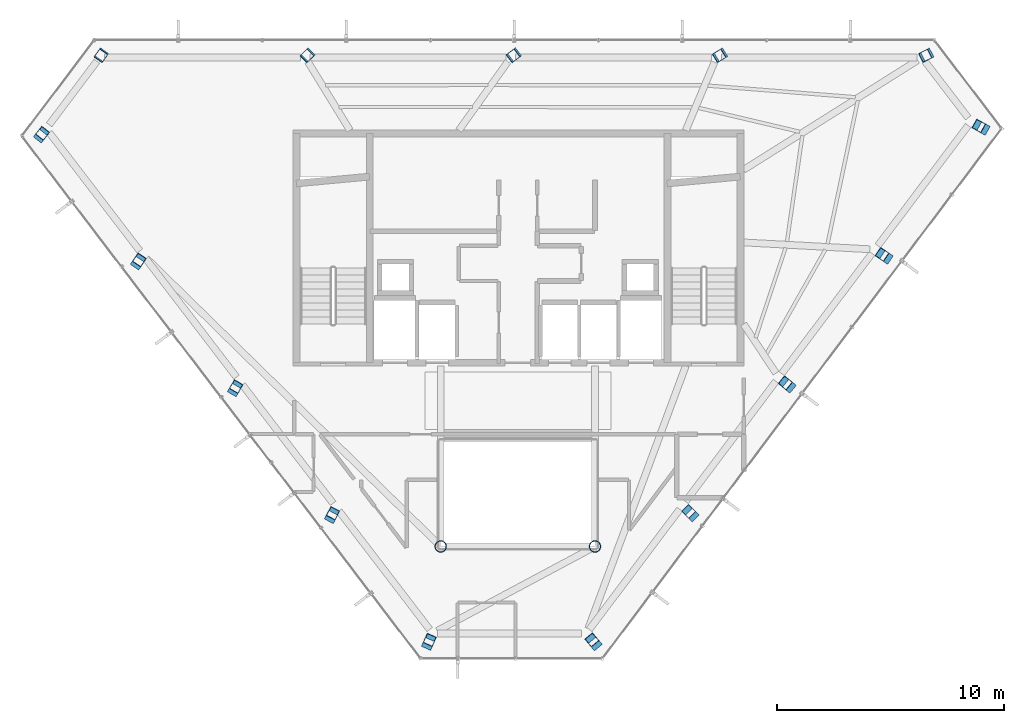
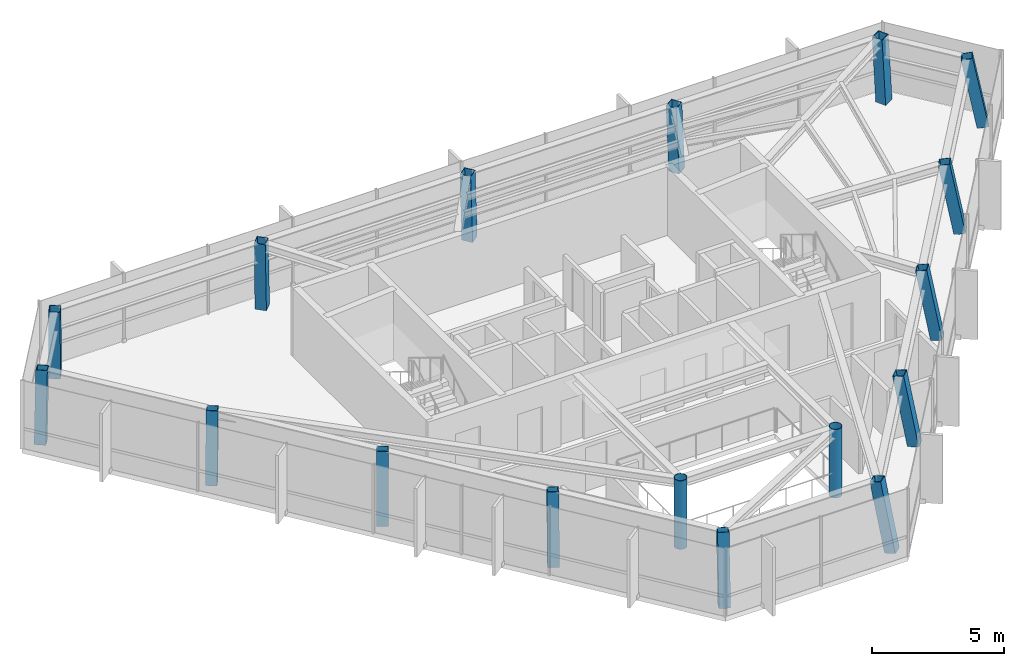
# One storey, part 1 of 22: 17 columns.
"""IFC4 building model written with IfcOpenShell, lengths in metres."""

from ifc_helpers import new_model, si_unit, direction, frame, origin, origin_2d, place, context, subcontext, project, spatial, hollow_rectangle, hollow_circle, extrude, material, material_profile, profile_set, type_object, element, save


model = new_model("IFC4")

# Units and contexts
model_context = context("Model", 3, precision=1e-05, world=origin(), true_north=direction((0.0, 1.0)))
body_context = subcontext(model_context, "Body", "Model", "MODEL_VIEW")
ifc_project = project(units=[si_unit("LENGTHUNIT", "METRE"), si_unit("AREAUNIT", "SQUARE_METRE"), si_unit("VOLUMEUNIT", "CUBIC_METRE"), si_unit("PLANEANGLEUNIT", "RADIAN"), si_unit("MASSUNIT", "GRAM", prefix="KILO")], contexts=[model_context])

# Site, building, storey
site_placement = place(None, origin())
site = spatial("IfcSite", under=ifc_project, at=site_placement, CompositionType="ELEMENT")
building_placement = place(site_placement, origin())
building = spatial("IfcBuilding", under=site, at=building_placement, Name="Zarrinselat Tower", CompositionType="ELEMENT")
storey_placement = place(building_placement, frame((0.0, 0.0, 295.800048828125)))
storey = spatial("IfcBuildingStorey", under=building, at=storey_placement, Name="L76", CompositionType="ELEMENT", Elevation=295.800048828125)

# Columns
ifc_material_1 = material(Name="Steel S355J2", Category="steel")
ifc_material_profile_1 = material_profile(ifc_material_1, hollow_circle(Radius=0.25390625, WallThickness=0.02001953125, at=origin_2d()), Name="CHS 508x20")
ifc_profile_set_1 = profile_set([ifc_material_profile_1], Name="Steel S355J2")
column_type_1 = type_object("IfcColumnType", Name="COL-CHS508", PredefinedType="COLUMN", material=ifc_profile_set_1)
for number, where, z_axis, x_axis, name in (
    (1, (35.0, 25.199951171875, 0.0), (0.0, 0.0, 1.0), (1.0, 0.0, 0.0), "L76 Atrium Corner Column 1"),
    (2, (41.800048828125, 25.199951171875, 0.0), (0.0, 0.0, 1.0), (1.0, 0.0, 0.0), "L76 Atrium Corner Column 2"),
):
    element("IfcColumn", number, at=place(storey_placement, frame(where, z_axis=z_axis, x_axis=x_axis)), inside=storey, type_object=column_type_1, Name=name, PredefinedType="COLUMN", context=body_context, shape_type="SweptSolid", body=[
        extrude(hollow_circle(Radius=0.25390625, WallThickness=0.02001953125, at=origin_2d()), origin(), (0.0, 0.0, 1.0), 3.179931640625),
    ])
ifc_material_2 = material(Name="Steel S355J2", Category="steel")
ifc_material_profile_2 = material_profile(ifc_material_2, hollow_rectangle(XDim=0.449951171875, YDim=0.449951171875, WallThickness=0.02197265625, at=origin_2d()), Name="SHS 450x450x22")
ifc_profile_set_2 = profile_set([ifc_material_profile_2], Name="Steel S355J2")
column_type_2 = type_object("IfcColumnType", Name="COL-SHS450", PredefinedType="COLUMN", material=ifc_profile_set_2)
column_1_placement = place(storey_placement, frame((56.435546875, 46.86669921875, 0.0), z_axis=(-0.070715298954, -0.036582156818, 0.996825507447), x_axis=(0.459475218474, -0.888190589687, 0.0)))
element("IfcColumn", 3, at=column_1_placement, inside=storey, type_object=column_type_2, Name="L76 Framed-Tube Column T01", PredefinedType="COLUMN", context=body_context, shape_type="SweptSolid", body=[
    extrude(hollow_rectangle(XDim=0.449951171875, YDim=0.449951171875, WallThickness=0.02197265625, at=origin_2d()), origin(), (0.0, 0.0, 1.0), 3.18994140625),
])
column_2_placement = place(storey_placement, frame((47.340576171875, 46.86669921875, 0.0), z_axis=(-0.059585046577, -0.036608807537, 0.99755171166), x_axis=(0.523486257557, -0.852034117949, 0.0)))
element("IfcColumn", 4, at=column_2_placement, inside=storey, type_object=column_type_2, Name="L76 Framed-Tube Column T02", PredefinedType="COLUMN", context=body_context, shape_type="SweptSolid", body=[
    extrude(hollow_rectangle(XDim=0.449951171875, YDim=0.449951171875, WallThickness=0.02197265625, at=origin_2d()), origin(), (0.0, 0.0, 1.0), 3.187744140625),
])
column_3_placement = place(storey_placement, frame((38.245361328125, 46.86669921875, 0.0), z_axis=(-0.048356072485, -0.036631066003, 0.998158231573), x_axis=(0.603833366104, -0.797110573246, 0.0)))
element("IfcColumn", 5, at=column_3_placement, inside=storey, type_object=column_type_2, Name="L76 Framed-Tube Column T03", PredefinedType="COLUMN", context=body_context, shape_type="SweptSolid", body=[
    extrude(hollow_rectangle(XDim=0.449951171875, YDim=0.449951171875, WallThickness=0.02197265625, at=origin_2d()), origin(), (0.0, 0.0, 1.0), 3.185791015625),
])
column_4_placement = place(storey_placement, frame((29.150390625, 46.86669921875, 0.0), z_axis=(-0.03718529952, -0.036648604475, 0.998636136583), x_axis=(0.7019483121, -0.712227889892, 0.0)))
element("IfcColumn", 6, at=column_4_placement, inside=storey, type_object=column_type_2, Name="L76 Framed-Tube Column T04", PredefinedType="COLUMN", context=body_context, shape_type="SweptSolid", body=[
    extrude(hollow_rectangle(XDim=0.449951171875, YDim=0.449951171875, WallThickness=0.02197265625, at=origin_2d()), origin(), (0.0, 0.0, 1.0), 3.184326171875),
])
column_5_placement = place(storey_placement, frame((20.05517578125, 46.86669921875, 0.0), z_axis=(-0.025923923441, -0.036661643209, 0.998991428447), x_axis=(0.816494198579, -0.577353638325, 0.0)))
element("IfcColumn", 7, at=column_5_placement, inside=storey, type_object=column_type_2, Name="L76 Framed-Tube Column T05", PredefinedType="COLUMN", context=body_context, shape_type="SweptSolid", body=[
    extrude(hollow_rectangle(XDim=0.449951171875, YDim=0.449951171875, WallThickness=0.02197265625, at=origin_2d()), origin(), (0.0, 0.0, 1.0), 3.18310546875),
])
column_6_placement = place(storey_placement, frame((17.361083984375, 43.2900390625, 0.0), z_axis=(0.07956104896, 0.101411786808, 0.991658050431), x_axis=(-0.786769049025, 0.617247489663, 0.0)))
element("IfcColumn", 8, at=column_6_placement, inside=storey, type_object=column_type_2, Name="L76 Framed-Tube Column T06", PredefinedType="COLUMN", context=body_context, shape_type="SweptSolid", body=[
    extrude(hollow_rectangle(XDim=0.449951171875, YDim=0.449951171875, WallThickness=0.02197265625, at=origin_2d()), origin(), (0.0, 0.0, 1.0), 3.206787109375),
])
column_7_placement = place(storey_placement, frame((21.631591796875, 37.696044921875, 0.0), z_axis=(0.075314317282, 0.111754274836, 0.990877760205), x_axis=(-0.829260740283, 0.558861901212, 0.0)))
element("IfcColumn", 9, at=column_7_placement, inside=storey, type_object=column_type_2, Name="L76 Framed-Tube Column T07", PredefinedType="COLUMN", context=body_context, shape_type="SweptSolid", body=[
    extrude(hollow_rectangle(XDim=0.449951171875, YDim=0.449951171875, WallThickness=0.02197265625, at=origin_2d()), origin(), (0.0, 0.0, 1.0), 3.209228515625),
])
column_8_placement = place(storey_placement, frame((25.902099609375, 32.102294921875, 0.0), z_axis=(0.071140979771, 0.122064544351, 0.989969296498), x_axis=(-0.863973953464, 0.503536500898, 0.0)))
element("IfcColumn", 10, at=column_8_placement, inside=storey, type_object=column_type_2, Name="L76 Framed-Tube Column T08", PredefinedType="COLUMN", context=body_context, shape_type="SweptSolid", body=[
    extrude(hollow_rectangle(XDim=0.449951171875, YDim=0.449951171875, WallThickness=0.02197265625, at=origin_2d()), origin(), (0.0, 0.0, 1.0), 3.212158203125),
])
column_9_placement = place(storey_placement, frame((30.172607421875, 26.50830078125, 0.0), z_axis=(0.066891384466, 0.132340162457, 0.988944702238), x_axis=(-0.892473001286, 0.451100811321, 0.0)))
element("IfcColumn", 11, at=column_9_placement, inside=storey, type_object=column_type_2, Name="L76 Framed-Tube Column T09", PredefinedType="COLUMN", context=body_context, shape_type="SweptSolid", body=[
    extrude(hollow_rectangle(XDim=0.449951171875, YDim=0.449951171875, WallThickness=0.02197265625, at=origin_2d()), origin(), (0.0, 0.0, 1.0), 3.215576171875),
])
column_10_placement = place(storey_placement, frame((34.443115234375, 20.914306640625, 0.0), z_axis=(0.062642789839, 0.142576809804, 0.987799440265), x_axis=(-0.915530323454, 0.402248961262, 0.0)))
element("IfcColumn", 12, at=column_10_placement, inside=storey, type_object=column_type_2, Name="L76 Framed-Tube Column T10", PredefinedType="COLUMN", context=body_context, shape_type="SweptSolid", body=[
    extrude(hollow_rectangle(XDim=0.449951171875, YDim=0.449951171875, WallThickness=0.02197265625, at=origin_2d()), origin(), (0.0, 0.0, 1.0), 3.21923828125),
])
column_11_placement = place(storey_placement, frame((41.8056640625, 20.914306640625, 0.0), z_axis=(-0.118089079314, 0.141857807738, 0.98281805627), x_axis=(-0.768556261675, -0.639782207192, 0.0)))
element("IfcColumn", 13, at=column_11_placement, inside=storey, type_object=column_type_2, Name="L76 Framed-Tube Column T11", PredefinedType="COLUMN", context=body_context, shape_type="SweptSolid", body=[
    extrude(hollow_rectangle(XDim=0.449951171875, YDim=0.449951171875, WallThickness=0.02197265625, at=origin_2d()), origin(), (0.0, 0.0, 1.0), 3.235595703125),
])
column_12_placement = place(storey_placement, frame((46.08203125, 26.591552734375, 0.0), z_axis=(-0.130108825885, 0.129656010946, 0.982985764013), x_axis=(-0.705873099589, -0.708338314139, 0.0)))
element("IfcColumn", 14, at=column_12_placement, inside=storey, type_object=column_type_2, Name="L76 Framed-Tube Column T12", PredefinedType="COLUMN", context=body_context, shape_type="SweptSolid", body=[
    extrude(hollow_rectangle(XDim=0.449951171875, YDim=0.449951171875, WallThickness=0.02197265625, at=origin_2d()), origin(), (0.0, 0.0, 1.0), 3.23486328125),
])
column_13_placement = place(storey_placement, frame((50.358642578125, 32.268798828125, 0.0), z_axis=(-0.142166166847, 0.117339909473, 0.982863228862), x_axis=(-0.636553442121, -0.771232594827, 0.0)))
element("IfcColumn", 15, at=column_13_placement, inside=storey, type_object=column_type_2, Name="L76 Framed-Tube Column T13", PredefinedType="COLUMN", context=body_context, shape_type="SweptSolid", body=[
    extrude(hollow_rectangle(XDim=0.449951171875, YDim=0.449951171875, WallThickness=0.02197265625, at=origin_2d()), origin(), (0.0, 0.0, 1.0), 3.2353515625),
])
column_14_placement = place(storey_placement, frame((54.63525390625, 37.94580078125, 0.0), z_axis=(-0.154172280002, 0.105144891547, 0.982433437878), x_axis=(-0.563437154722, -0.82615892701, 0.0)))
element("IfcColumn", 16, at=column_14_placement, inside=storey, type_object=column_type_2, Name="L76 Framed-Tube Column T14", PredefinedType="COLUMN", context=body_context, shape_type="SweptSolid", body=[
    extrude(hollow_rectangle(XDim=0.449951171875, YDim=0.449951171875, WallThickness=0.02197265625, at=origin_2d()), origin(), (0.0, 0.0, 1.0), 3.23681640625),
])
column_15_placement = place(storey_placement, frame((58.91162109375, 43.623291015625, 0.0), z_axis=(-0.166049479259, 0.092710331134, 0.981749644736), x_axis=(-0.487492654633, -0.873127087931, 0.0)))
element("IfcColumn", 17, at=column_15_placement, inside=storey, type_object=column_type_2, Name="L76 Framed-Tube Column T15", PredefinedType="COLUMN", context=body_context, shape_type="SweptSolid", body=[
    extrude(hollow_rectangle(XDim=0.449951171875, YDim=0.449951171875, WallThickness=0.02197265625, at=origin_2d()), origin(), (0.0, 0.0, 1.0), 3.239013671875),
])

save(model, "model.ifc")
